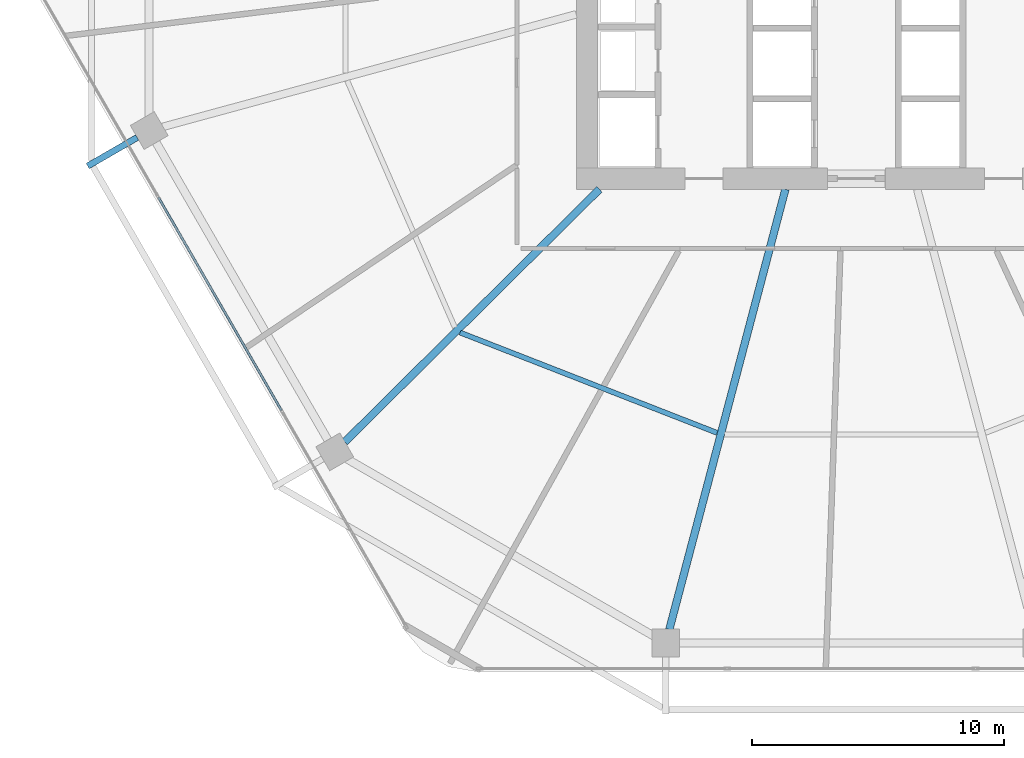
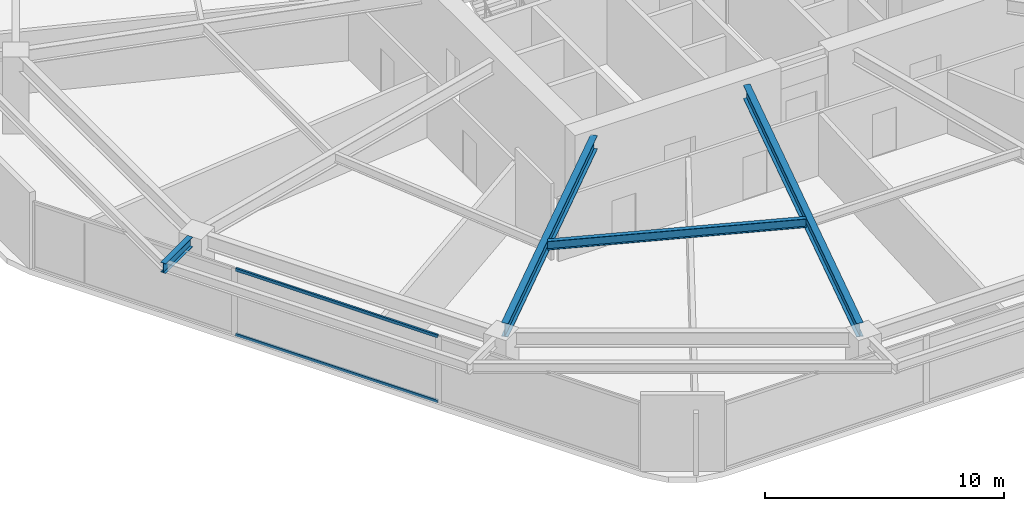
# One storey, part 4 of 28: 4 beams, 2 members, 1 element without a shape of its own.
"""IFC4 building model written with IfcOpenShell, lengths in metres."""

from ifc_helpers import new_model, si_unit, direction, frame, origin, origin_2d, place, context, subcontext, project, spatial, hollow_rectangle, i_section, extrude, material, material_profile, profile_set, type_object, element, aggregate, save


model = new_model("IFC4")

# Units and contexts
model_context = context("Model", 3, precision=1e-05, world=origin(), true_north=direction((0.0, 1.0)))
body_context = subcontext(model_context, "Body", "Model", "MODEL_VIEW")
ifc_project = project(units=[si_unit("LENGTHUNIT", "METRE"), si_unit("AREAUNIT", "SQUARE_METRE"), si_unit("VOLUMEUNIT", "CUBIC_METRE"), si_unit("PLANEANGLEUNIT", "RADIAN"), si_unit("MASSUNIT", "GRAM", prefix="KILO")], contexts=[model_context])

# Site, building, storey
site_placement = place(None, origin())
site = spatial("IfcSite", under=ifc_project, at=site_placement, CompositionType="ELEMENT")
building_placement = place(site_placement, origin())
building = spatial("IfcBuilding", under=site, at=building_placement, Name="Zuhravey Tower", CompositionType="ELEMENT")
storey_placement = place(building_placement, frame((0.0, 0.0, 79.199951171875)))
storey = spatial("IfcBuildingStorey", under=building, at=storey_placement, Name="L19", CompositionType="ELEMENT", Elevation=79.199951171875)

# Curtain wall, members
ifc_material_1 = material(Name="Thermally broken anodised aluminium", Category="aluminium")
curtain_wall_type = type_object("IfcCurtainWallType", Name="School Low-E Unitised Curtain Wall CW1", PredefinedType="NOTDEFINED", material=ifc_material_1)
curtain_wall_placement = place(storey_placement, origin())
curtain_wall = element("IfcCurtainWall", 1, at=curtain_wall_placement, inside=storey, type_object=curtain_wall_type, Name="L19 CW1 CW-L19-F4-1", PredefinedType="NOTDEFINED")
ifc_material_2 = material(Name="Anodised aluminium", Category="aluminium")
ifc_material_profile_1 = material_profile(ifc_material_2, hollow_rectangle(XDim=0.090087890625, YDim=0.14990234375, WallThickness=0.0048828125, at=origin_2d()), Name="ALU-RHS-90x150x5")
ifc_profile_set_1 = profile_set([ifc_material_profile_1], Name="Anodised aluminium")
member_type = type_object("IfcMemberType", Name="Curtain-Wall Transom 90x150", PredefinedType="USERDEFINED", material=ifc_profile_set_1)
member_1_placement = place(storey_placement, frame((13.365234375, 13.287353515625, 0.045166015625), z_axis=(-0.499990498062, 0.866030889661, 0.0), x_axis=(-0.866030889661, -0.499990498062, 0.0)))
member_1 = element("IfcMember", 2, at=member_1_placement, type_object=member_type, Name="CW1 transom 2.1", ObjectType="TRANSOM", PredefinedType="USERDEFINED", context=body_context, shape_type="SweptSolid", body=[
    extrude(hollow_rectangle(XDim=0.090087890625, YDim=0.14990234375, WallThickness=0.0048828125, at=origin_2d()), origin(), (0.0, 0.0, 1.0), 9.776611328125),
])
member_2_placement = place(storey_placement, frame((13.365234375, 13.287353515625, 3.375), z_axis=(-0.499990498062, 0.866030889661, 0.0), x_axis=(-0.866030889661, -0.499990498062, 0.0)))
member_2 = element("IfcMember", 3, at=member_2_placement, type_object=member_type, Name="CW1 transom 2.2", ObjectType="TRANSOM", PredefinedType="USERDEFINED", context=body_context, shape_type="SweptSolid", body=[
    extrude(hollow_rectangle(XDim=0.090087890625, YDim=0.14990234375, WallThickness=0.0048828125, at=origin_2d()), origin(), (0.0, 0.0, 1.0), 9.776611328125),
])
aggregate(curtain_wall, [member_1, member_2])

# Beams
ifc_material_3 = material(Name="Steel SM355", Category="steel")
ifc_material_profile_2 = material_profile(ifc_material_3, i_section(OverallWidth=0.300048828125, OverallDepth=0.699951171875, WebThickness=0.012939453125, FlangeThickness=0.02392578125, at=origin_2d()), Name="H-700x300x13x24")
ifc_profile_set_2 = profile_set([ifc_material_profile_2], Name="Steel SM355")
beam_type_1 = type_object("IfcBeamType", Name="Radial Primary Girder H700x300", PredefinedType="BEAM", material=ifc_profile_set_2)
beam_1_placement = place(storey_placement, frame((25.992919921875, 22.072021484375, 3.570068359375), z_axis=(-0.709901518563, -0.704300954097, 0.0), x_axis=(0.704300954097, -0.709901518563, 0.0)))
element("IfcBeam", 4, at=beam_1_placement, inside=storey, type_object=beam_type_1, Name="L19 RG1 BM-L19-RAD-08", PredefinedType="BEAM", context=body_context, shape_type="SweptSolid", body=[
    extrude(i_section(OverallWidth=0.300048828125, OverallDepth=0.699951171875, WebThickness=0.012939453125, FlangeThickness=0.02392578125, at=origin_2d()), origin(), (0.0, 0.0, 1.0), 14.254638671875),
])
beam_2_placement = place(storey_placement, frame((33.382080078125, 22.072021484375, 3.570068359375), z_axis=(-0.254987019627, -0.96694447608, 0.0), x_axis=(0.96694447608, -0.254987019627, 0.0)))
element("IfcBeam", 5, at=beam_2_placement, inside=storey, type_object=beam_type_1, Name="L19 RG1 BM-L19-RAD-09", PredefinedType="BEAM", context=body_context, shape_type="SweptSolid", body=[
    extrude(i_section(OverallWidth=0.300048828125, OverallDepth=0.699951171875, WebThickness=0.012939453125, FlangeThickness=0.02392578125, at=origin_2d()), origin(), (0.0, 0.0, 1.0), 18.08349609375),
])
ifc_material_profile_3 = material_profile(ifc_material_3, i_section(OverallWidth=0.199951171875, OverallDepth=0.449951171875, WebThickness=0.009033203125, FlangeThickness=0.013916015625, at=origin_2d()), Name="H-450x200x9x14")
ifc_profile_set_3 = profile_set([ifc_material_profile_3], Name="Steel SM355")
beam_type_2 = type_object("IfcBeamType", Name="Secondary Floor Joist H450x200", PredefinedType="JOIST", material=ifc_profile_set_3)
beam_3_placement = place(storey_placement, frame((20.4599609375, 16.38427734375, 3.695068359375), z_axis=(0.931516535886, -0.363698973562, 0.0), x_axis=(0.363698973562, 0.931516535886, 0.0)))
element("IfcBeam", 6, at=beam_3_placement, inside=storey, type_object=beam_type_2, Name="L19 SJ1 BM-L19-SJ-08-1", PredefinedType="JOIST", context=body_context, shape_type="SweptSolid", body=[
    extrude(i_section(OverallWidth=0.199951171875, OverallDepth=0.449951171875, WebThickness=0.009033203125, FlangeThickness=0.013916015625, at=origin_2d()), origin(), (0.0, 0.0, 1.0), 10.963134765625),
])
ifc_material_profile_4 = material_profile(ifc_material_3, i_section(OverallWidth=0.25, OverallDepth=0.5, WebThickness=0.010009765625, FlangeThickness=0.01611328125, at=origin_2d()), Name="H-500x250x10x16")
ifc_profile_set_4 = profile_set([ifc_material_profile_4], Name="Steel SM355")
beam_type_3 = type_object("IfcBeamType", Name="Tray Cantilever Spandrel H500x250", PredefinedType="SPANDREL", material=ifc_profile_set_4)
beam_4_placement = place(storey_placement, frame((7.631103515625, 24.13134765625, 3.670166015625), z_axis=(-0.866013342106, -0.500020890858, 0.0), x_axis=(0.500020890858, -0.866013342106, 0.0)))
element("IfcBeam", 7, at=beam_4_placement, inside=storey, type_object=beam_type_3, Name="L19 Sky-Tray Cantilever Arm TSB1-R07", PredefinedType="SPANDREL", context=body_context, shape_type="SweptSolid", body=[
    extrude(i_section(OverallWidth=0.25, OverallDepth=0.5, WebThickness=0.010009765625, FlangeThickness=0.01611328125, at=origin_2d()), origin(), (0.0, 0.0, 1.0), 2.26611328125),
])

save(model, "model.ifc")
